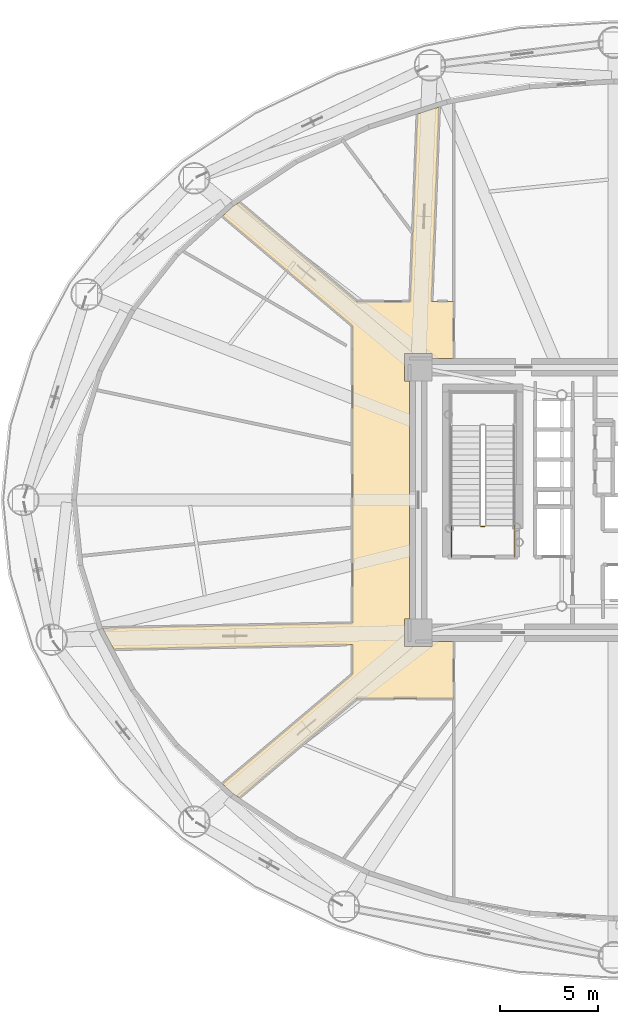
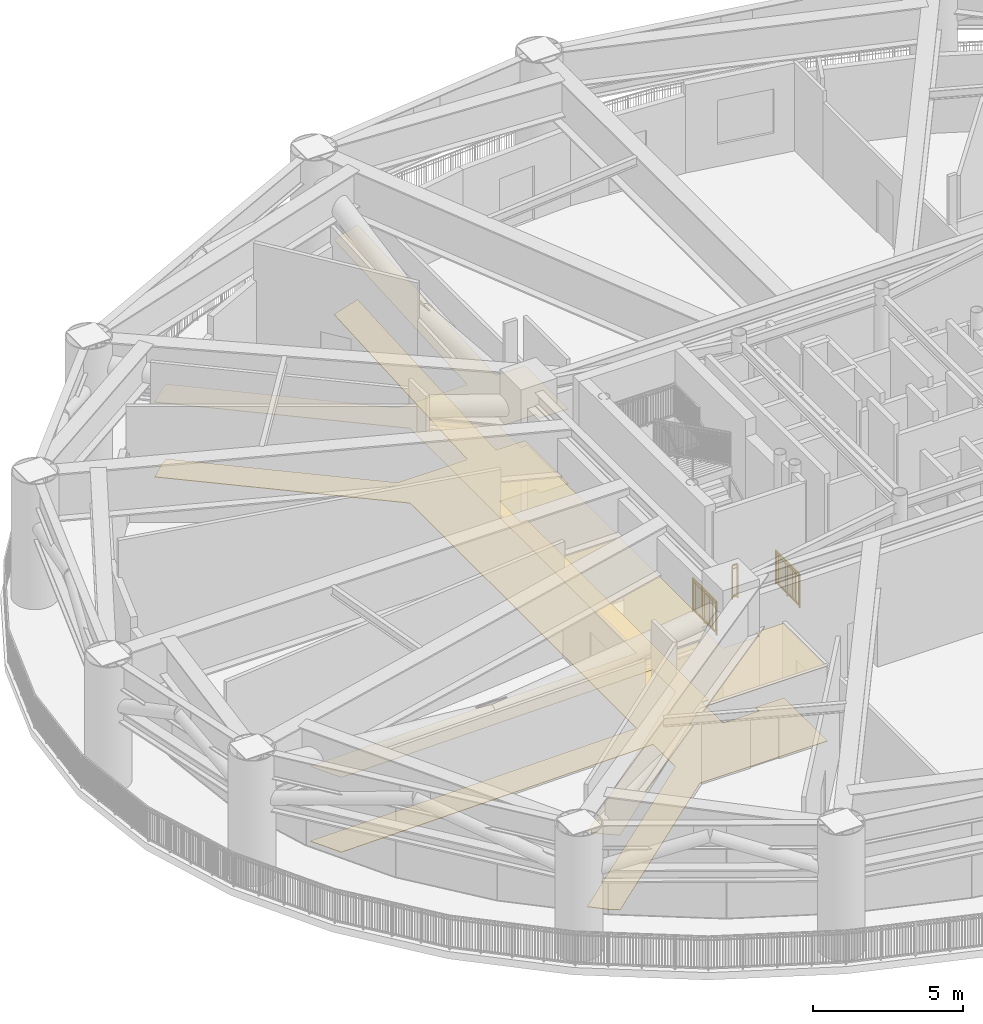
# One storey, part 16 of 22: 3 railings, 2 coverings.
"""IFC4 building model written with IfcOpenShell, lengths in metres."""

import ifcopenshell
import ifcopenshell.guid

model = None  # the IFC model being written
_history = None  # IfcOwnerHistory: only IFC2X3 demands one
_inside = {}  # id of a spatial element -> (the spatial element, [elements in it])
_under = {}  # id of a project, library or spatial element -> (it, [spatial elements below it])
_declared = {}  # id of a project -> (the project, [libraries it declares])
_typed = {}  # id of a type object -> (the type object, [elements of that type])
_made_of = {}  # id of a material, layer set ... -> (it, [elements and type objects made of it])


def new_model(schema):
    """Start an empty IFC model of exactly this schema.

    Asked for "IFC4X3", IfcOpenShell would pick the latest addendum, in which some entities
    have other attributes; the version numbers below select the first issue.
    IFC2X3 requires an IfcOwnerHistory on every rooted entity: one is made here for all.
    """
    global model, _history
    if schema == "IFC4X3":
        model = ifcopenshell.file(schema_version=(4, 3, 0, 0))
    else:
        model = ifcopenshell.file(schema=schema)
    _inside.clear()
    _under.clear()
    _declared.clear()
    _typed.clear()
    _made_of.clear()
    _history = None
    if model.schema == "IFC2X3":
        org = make("IfcOrganization", Name="unknown")
        user = make(
            "IfcPersonAndOrganization",
            ThePerson=make("IfcPerson", FamilyName="unknown"),
            TheOrganization=org,
        )
        app = make(
            "IfcApplication",
            ApplicationDeveloper=org,
            Version="unknown",
            ApplicationFullName="unknown",
            ApplicationIdentifier="unknown",
        )
        _history = make(
            "IfcOwnerHistory",
            OwningUser=user,
            OwningApplication=app,
            ChangeAction="ADDED",
            CreationDate=0,
        )
    return model


def make(cls, **values):
    """One entity of the class cls with the attributes given. An attribute that is None is left unset."""
    return model.create_entity(
        cls, **{name: value for name, value in values.items() if value is not None}
    )


def rooted(cls, **values):
    """An entity with a GlobalId (a new one), such as an element, a storey or a relation."""
    return make(cls, GlobalId=ifcopenshell.guid.new(), OwnerHistory=_history, **values)


def si_unit(unit_type, name, prefix=None):
    """IfcSIUnit, for example si_unit("LENGTHUNIT", "METRE", prefix="MILLI")."""
    return make("IfcSIUnit", UnitType=unit_type, Prefix=prefix, Name=name)


def assignment(units):
    """IfcUnitAssignment: the units of a project."""
    return None if units is None else make("IfcUnitAssignment", Units=units)


def point(xyz):
    """IfcCartesianPoint."""
    return None if xyz is None else make("IfcCartesianPoint", Coordinates=xyz)


def direction(xyz):
    """IfcDirection."""
    return None if xyz is None else make("IfcDirection", DirectionRatios=xyz)


def frame(location, z_axis=None, x_axis=None):
    """IfcAxis2Placement3D, a coordinate frame: its origin and axes. An axis left out is left unset."""
    return make(
        "IfcAxis2Placement3D",
        Location=point(location),
        Axis=direction(z_axis),
        RefDirection=direction(x_axis),
    )


def frame_2d(location, x_axis=None):
    """IfcAxis2Placement2D, a coordinate frame in the plane: its origin and x axis."""
    return make(
        "IfcAxis2Placement2D", Location=point(location), RefDirection=direction(x_axis)
    )


def origin():
    """The frame at (0, 0, 0) with its axes left unset."""
    return frame((0.0, 0.0, 0.0))


def origin_2d():
    """The frame at (0, 0) in the plane with its x axis left unset."""
    return frame_2d((0.0, 0.0))


def place(relative_to, where):
    """IfcLocalPlacement: puts the frame where relative to a parent placement (None: the world)."""
    return make(
        "IfcLocalPlacement", PlacementRelTo=relative_to, RelativePlacement=where
    )


def context(
    kind, dimensions, precision=None, world=None, true_north=None, identifier=None
):
    """IfcGeometricRepresentationContext, for example the 3D "Model" context."""
    return make(
        "IfcGeometricRepresentationContext",
        ContextIdentifier=identifier,
        ContextType=kind,
        CoordinateSpaceDimension=dimensions,
        Precision=precision,
        WorldCoordinateSystem=world,
        TrueNorth=true_north,
    )


def subcontext(parent, identifier, kind, view, scale=None):
    """IfcGeometricRepresentationSubContext, for example "Body" below "Model"."""
    return make(
        "IfcGeometricRepresentationSubContext",
        ContextIdentifier=identifier,
        ContextType=kind,
        ParentContext=parent,
        TargetScale=scale,
        TargetView=view,
    )


def project(units=None, contexts=None):
    """IfcProject with its units and contexts."""
    return rooted(
        "IfcProject",
        Name="project",
        RepresentationContexts=contexts,
        UnitsInContext=assignment(units),
    )


def spatial(cls, under=None, at=None, **own):
    """A site, building, storey or space (cls), placed at a placement, below another one or the project."""
    s = rooted(cls, ObjectPlacement=at, **own)
    if under is not None:
        _under.setdefault(under.id(), (under, []))[1].append(s)
    return s


def polyline(points):
    """IfcPolyline through the points."""
    return make("IfcPolyline", Points=[point(p) for p in points])


def profile(cls, at=None, kind="AREA", **sizes):
    """A parametric profile (cls). Its sizes go by their IFC names, for example OverallWidth=200.0."""
    return make(cls, ProfileType=kind, Position=at, **sizes)


def rectangle(**sizes):
    """IfcRectangleProfileDef."""
    return profile("IfcRectangleProfileDef", **sizes)


def outline(outer, holes=None, kind="AREA"):
    """IfcArbitraryClosedProfileDef: a profile drawn as a closed curve; with holes, ...WithVoids."""
    if holes is None:
        return make("IfcArbitraryClosedProfileDef", ProfileType=kind, OuterCurve=outer)
    return make(
        "IfcArbitraryProfileDefWithVoids",
        ProfileType=kind,
        OuterCurve=outer,
        InnerCurves=holes,
    )


def extrude(swept, where, along, depth):
    """IfcExtrudedAreaSolid: the profile swept, set in the frame where, extruded along a direction by depth."""
    return make(
        "IfcExtrudedAreaSolid",
        SweptArea=swept,
        Position=where,
        ExtrudedDirection=direction(along),
        Depth=depth,
    )


def shape(context_of_items, identifier, shape_type, items):
    """IfcShapeRepresentation: the items that make up one representation, for example the "Body"."""
    return make(
        "IfcShapeRepresentation",
        ContextOfItems=context_of_items,
        RepresentationIdentifier=identifier,
        RepresentationType=shape_type,
        Items=items,
    )


def source(mapping_origin, context_of_items, identifier, shape_type, items):
    """IfcRepresentationMap: a shape defined once, which mapped items show again and again."""
    return make(
        "IfcRepresentationMap",
        MappingOrigin=mapping_origin,
        MappedRepresentation=shape(context_of_items, identifier, shape_type, items),
    )


def transform(
    local_origin,
    x_axis=None,
    y_axis=None,
    z_axis=None,
    scale=None,
    scale2=None,
    scale3=None,
    uniform=True,
):
    """IfcCartesianTransformationOperator3D, or its non-uniform kind. x_axis, y_axis, z_axis: its Axis1, 2, 3."""
    if uniform:
        return make(
            "IfcCartesianTransformationOperator3D",
            Axis1=direction(x_axis),
            Axis2=direction(y_axis),
            LocalOrigin=point(local_origin),
            Scale=scale,
            Axis3=direction(z_axis),
        )
    return make(
        "IfcCartesianTransformationOperator3DnonUniform",
        Axis1=direction(x_axis),
        Axis2=direction(y_axis),
        LocalOrigin=point(local_origin),
        Scale=scale,
        Axis3=direction(z_axis),
        Scale2=scale2,
        Scale3=scale3,
    )


def mapped(mapping_source, mapping_target):
    """IfcMappedItem: shows the shape of a source again, moved by a transform."""
    return make(
        "IfcMappedItem", MappingSource=mapping_source, MappingTarget=mapping_target
    )


def material(Name=None, Category=None):
    """IfcMaterial."""
    return make("IfcMaterial", Name=Name, Category=Category)


def layer(
    of_material, thickness, ventilated=None, Name=None, Category=None, Priority=None
):
    """IfcMaterialLayer: one layer of a wall or slab, of a material (None: an air gap)."""
    return make(
        "IfcMaterialLayer",
        Material=of_material,
        LayerThickness=thickness,
        IsVentilated=ventilated,
        Name=Name,
        Category=Category,
        Priority=Priority,
    )


def layer_set(layers, Name=None):
    """IfcMaterialLayerSet."""
    return make("IfcMaterialLayerSet", MaterialLayers=layers, LayerSetName=Name)


def made_of(thing, what):
    """Note that an element or type object is made of a material, layer set ...; save() writes the relation."""
    if what is not None:
        _made_of.setdefault(what.id(), (what, []))[1].append(thing)
    return thing


def type_object(cls, material=None, **own):
    """A type object (cls), such as IfcWallType, which elements share."""
    return made_of(rooted(cls, **own), material)


def element(
    cls,
    number,
    at=None,
    inside=None,
    cuts=None,
    type_object=None,
    material=None,
    context=None,
    identifier="Body",
    shape_type=None,
    held_by="IfcProductDefinitionShape",
    body=None,
    shapes=None,
    **own,
):
    """One element of the class cls, such as IfcWall. Its Tag is "e" and its number.

    at: its placement. inside: the storey or other place that contains it. cuts: it is an
    opening in that element (IfcRelVoidsElement). A single representation is given by context,
    identifier, shape_type and body (its items); several are given by shapes. held_by: the class
    of the entity that holds the representations. save() writes the other relations.
    """
    e = rooted(cls, Tag="e%d" % number, ObjectPlacement=at, **own)
    if body is not None:
        shapes = [shape(context, identifier, shape_type, body)]
    if shapes is not None:
        e.Representation = make(held_by, Representations=shapes)
    if inside is not None:
        _inside.setdefault(inside.id(), (inside, []))[1].append(e)
    if cuts is not None:
        rooted(
            "IfcRelVoidsElement", RelatingBuildingElement=cuts, RelatedOpeningElement=e
        )
    if type_object is not None:
        _typed.setdefault(type_object.id(), (type_object, []))[1].append(e)
    return made_of(e, material)


def aggregate(whole, parts):
    """IfcRelAggregates: a whole, such as a stair, and the parts it consists of."""
    return rooted("IfcRelAggregates", RelatingObject=whole, RelatedObjects=parts)


def save(model, path):
    """Write the relations noted so far, then the file.

    IfcRelAggregates (storeys below a building ...), IfcRelContainedInSpatialStructure (elements
    in a storey), IfcRelDefinesByType, IfcRelAssociatesMaterial and IfcRelDeclares: one each for
    every whole, place, type object, material and project.
    """
    for whole, parts in _under.values():
        aggregate(whole, parts)
    for where, things in _inside.values():
        rooted(
            "IfcRelContainedInSpatialStructure",
            RelatedElements=things,
            RelatingStructure=where,
        )
    for kind, things in _typed.values():
        rooted("IfcRelDefinesByType", RelatedObjects=things, RelatingType=kind)
    for what, things in _made_of.values():
        rooted("IfcRelAssociatesMaterial", RelatedObjects=things, RelatingMaterial=what)
    for by, libraries in _declared.values():
        rooted("IfcRelDeclares", RelatingContext=by, RelatedDefinitions=libraries)
    model.write(path)


model = new_model("IFC4")

# Units and contexts
model_context = context("Model", 3, precision=1e-05, world=origin(), true_north=direction((0.0, 1.0)))
body_context = subcontext(model_context, "Body", "Model", "MODEL_VIEW")
ifc_project = project(units=[si_unit("LENGTHUNIT", "METRE"), si_unit("AREAUNIT", "SQUARE_METRE"), si_unit("VOLUMEUNIT", "CUBIC_METRE"), si_unit("PLANEANGLEUNIT", "RADIAN"), si_unit("MASSUNIT", "GRAM", prefix="KILO")], contexts=[model_context])

# Site, building, storey
site_placement = place(None, origin())
site = spatial("IfcSite", under=ifc_project, at=site_placement, CompositionType="ELEMENT")
building_placement = place(site_placement, origin())
building = spatial("IfcBuilding", under=site, at=building_placement, Name="Linh Dai School and Residence Tower", CompositionType="ELEMENT")
storey_placement = place(building_placement, frame((0.0, 0.0, 87.0)))
storey = spatial("IfcBuildingStorey", under=building, at=storey_placement, Name="L20", CompositionType="ELEMENT", Elevation=87.0)

# Coverings
ifc_material_1 = material(Name="Mineral Fibre Acoustic Suspended Ceiling", Category="masonry")
ifc_layer_1 = layer(ifc_material_1, 0.02001953125)
ifc_layer_set_1 = layer_set([ifc_layer_1], Name="Mineral Fibre Acoustic Suspended Ceiling")
covering_type_1 = type_object("IfcCoveringType", Name="COV-CEIL-AC-20", PredefinedType="CEILING", material=ifc_layer_set_1)
covering_1_placement = place(storey_placement, frame((0.0, 0.0, 3.050048828125)))
element("IfcCovering", 1, at=covering_1_placement, inside=storey, type_object=covering_type_1, Name="L20 Plant and Refuge Access Corridor West Suspended Ceiling", PredefinedType="CEILING", context=body_context, shape_type="SweptSolid", body=[
    extrude(outline(polyline([(22.699951171875, 20.735595703125), (22.699951171875, 35.8564453125), (16.0751953125, 41.445068359375), (16.63720703125, 41.955810546875), (16.938720703125, 42.15576171875), (22.931884765625, 37.10009765625), (25.628662109375, 37.10009765625), (25.996337890625, 46.644775390625), (27.111083984375, 47.00341796875), (26.7294921875, 37.10009765625), (27.85009765625, 37.10009765625), (27.85009765625, 34.199951171875), (26.75, 34.199951171875), (26.75, 34.449951171875), (25.35009765625, 34.449951171875), (25.35009765625, 33.050048828125), (25.60009765625, 33.050048828125), (25.60009765625, 20.949951171875), (25.35009765625, 20.949951171875), (25.35009765625, 19.550048828125), (26.75, 19.550048828125), (26.75, 19.800048828125), (27.85009765625, 19.800048828125), (27.85009765625, 16.89990234375), (22.931884765625, 16.89990234375), (16.938720703125, 11.84423828125), (16.63720703125, 12.044189453125), (16.0751953125, 12.554931640625), (22.699951171875, 18.1435546875), (22.699951171875, 19.635498046875), (10.553466796875, 19.402099609375), (9.972412109375, 20.4912109375), (22.699951171875, 20.735595703125)])), origin(), (0.0, 0.0, 1.0), 0.02001953125),
])
ifc_material_2 = material(Name="Polished Terrazzo Floor Finish", Category="masonry")
ifc_layer_2 = layer(ifc_material_2, 0.02490234375)
ifc_layer_set_2 = layer_set([ifc_layer_2], Name="Polished Terrazzo Floor Finish")
covering_type_2 = type_object("IfcCoveringType", Name="COV-FLR-TRZ-25", PredefinedType="FLOORING", material=ifc_layer_set_2)
covering_2_placement = place(storey_placement, origin())
element("IfcCovering", 2, at=covering_2_placement, inside=storey, type_object=covering_type_2, Name="L20 Plant and Refuge Access Corridor West Floor Finish", PredefinedType="FLOORING", context=body_context, shape_type="SweptSolid", body=[
    extrude(outline(polyline([(22.699951171875, 20.735595703125), (22.699951171875, 35.8564453125), (16.0751953125, 41.445068359375), (16.63720703125, 41.955810546875), (16.938720703125, 42.15576171875), (22.931884765625, 37.10009765625), (25.628662109375, 37.10009765625), (25.996337890625, 46.644775390625), (27.111083984375, 47.00341796875), (26.7294921875, 37.10009765625), (27.85009765625, 37.10009765625), (27.85009765625, 34.199951171875), (26.75, 34.199951171875), (26.75, 34.449951171875), (25.35009765625, 34.449951171875), (25.35009765625, 33.050048828125), (25.60009765625, 33.050048828125), (25.60009765625, 20.949951171875), (25.35009765625, 20.949951171875), (25.35009765625, 19.550048828125), (26.75, 19.550048828125), (26.75, 19.800048828125), (27.85009765625, 19.800048828125), (27.85009765625, 16.89990234375), (22.931884765625, 16.89990234375), (16.938720703125, 11.84423828125), (16.63720703125, 12.044189453125), (16.0751953125, 12.554931640625), (22.699951171875, 18.1435546875), (22.699951171875, 19.635498046875), (10.553466796875, 19.402099609375), (9.972412109375, 20.4912109375), (22.699951171875, 20.735595703125)])), origin(), (0.0, 0.0, 1.0), 0.02001953125),
])

# Railings
ifc_material_3 = material(Name="Structural Steel S355JR", Category="steel")
railing_type = type_object("IfcRailingType", Name="RL-ST-GUARD-1400", PredefinedType="GUARDRAIL", material=ifc_material_3)
shared_shape_1 = source(origin(), body_context, "Body", "SweptSolid", [
    extrude(rectangle(XDim=0.048095703125, YDim=0.048095703125, at=origin_2d()), frame((0.0, 0.0, 1.3759765625), z_axis=(-1.0, 0.0, 0.0), x_axis=(0.0, -1.0, 0.0)), (0.0, 0.0, 1.0), 0.199951171875),
    extrude(rectangle(XDim=0.048095703125, YDim=0.048095703125, at=origin_2d()), frame((0.0, 0.0, 0.10009765625), z_axis=(-1.0, 0.0, 0.0), x_axis=(0.0, -1.0, 0.0)), (0.0, 0.0, 1.0), 0.199951171875),
    extrude(rectangle(XDim=0.030029296875, YDim=0.030029296875, at=origin_2d()), frame((0.0, 0.0, 1.239990234375), z_axis=(-1.0, 0.0, 0.0), x_axis=(0.0, -1.0, 0.0)), (0.0, 0.0, 1.0), 0.199951171875),
    extrude(rectangle(XDim=0.0419921875, YDim=0.0419921875, at=origin_2d()), origin(), (0.0, 0.0, 1.0), 1.3759765625),
    extrude(rectangle(XDim=0.0419921875, YDim=0.0419921875, at=origin_2d()), frame((-0.199951171875, 0.0, 0.0)), (0.0, 0.0, 1.0), 1.3759765625),
])
railing_placement = place(storey_placement, frame((29.429931640625, 25.64990234375, 0.0)))
element("IfcRailing", 3, at=railing_placement, inside=storey, type_object=railing_type, Name="L20 ST1 stair guard 7", PredefinedType="GUARDRAIL", context=body_context, shape_type="MappedRepresentation", body=[
    mapped(shared_shape_1, transform((0.0, 0.0, 0.0), x_axis=(1.0, 0.0, 0.0), y_axis=(0.0, 1.0, 0.0), z_axis=(0.0, 0.0, 1.0), scale=1.0)),
])
shared_shape_2 = source(origin(), body_context, "Body", "SweptSolid", [
    extrude(rectangle(XDim=0.048095703125, YDim=0.048095703125, at=origin_2d()), frame((0.0, 0.0, 1.3759765625), z_axis=(0.0, 1.0, 0.0), x_axis=(-1.0, 0.0, 0.0)), (0.0, 0.0, 1.0), 1.599853515625),
    extrude(rectangle(XDim=0.048095703125, YDim=0.048095703125, at=origin_2d()), frame((0.0, 0.0, 0.10009765625), z_axis=(0.0, 1.0, 0.0), x_axis=(-1.0, 0.0, 0.0)), (0.0, 0.0, 1.0), 1.599853515625),
    extrude(rectangle(XDim=0.030029296875, YDim=0.030029296875, at=origin_2d()), frame((0.0, 0.0, 1.239990234375), z_axis=(0.0, 1.0, 0.0), x_axis=(-1.0, 0.0, 0.0)), (0.0, 0.0, 1.0), 1.599853515625),
    extrude(rectangle(XDim=0.02001953125, YDim=0.02001953125, at=origin_2d()), frame((0.0, 0.093994140625, 0.10009765625)), (0.0, 0.0, 1.0), 1.251708984375),
    extrude(rectangle(XDim=0.02001953125, YDim=0.02001953125, at=origin_2d()), frame((0.0, 0.188232421875, 0.10009765625)), (0.0, 0.0, 1.0), 1.251708984375),
    extrude(rectangle(XDim=0.02001953125, YDim=0.02001953125, at=origin_2d()), frame((0.0, 0.2822265625, 0.10009765625)), (0.0, 0.0, 1.0), 1.251708984375),
    extrude(rectangle(XDim=0.02001953125, YDim=0.02001953125, at=origin_2d()), frame((0.0, 0.37646484375, 0.10009765625)), (0.0, 0.0, 1.0), 1.251708984375),
    extrude(rectangle(XDim=0.02001953125, YDim=0.02001953125, at=origin_2d()), frame((0.0, 0.470458984375, 0.10009765625)), (0.0, 0.0, 1.0), 1.251708984375),
    extrude(rectangle(XDim=0.02001953125, YDim=0.02001953125, at=origin_2d()), frame((0.0, 0.564697265625, 0.10009765625)), (0.0, 0.0, 1.0), 1.251708984375),
    extrude(rectangle(XDim=0.02001953125, YDim=0.02001953125, at=origin_2d()), frame((0.0, 0.65869140625, 0.10009765625)), (0.0, 0.0, 1.0), 1.251708984375),
    extrude(rectangle(XDim=0.02001953125, YDim=0.02001953125, at=origin_2d()), frame((0.0, 0.7529296875, 0.10009765625)), (0.0, 0.0, 1.0), 1.251708984375),
    extrude(rectangle(XDim=0.02001953125, YDim=0.02001953125, at=origin_2d()), frame((0.0, 0.846923828125, 0.10009765625)), (0.0, 0.0, 1.0), 1.251708984375),
    extrude(rectangle(XDim=0.02001953125, YDim=0.02001953125, at=origin_2d()), frame((0.0, 0.941162109375, 0.10009765625)), (0.0, 0.0, 1.0), 1.251708984375),
    extrude(rectangle(XDim=0.02001953125, YDim=0.02001953125, at=origin_2d()), frame((0.0, 1.03515625, 0.10009765625)), (0.0, 0.0, 1.0), 1.251708984375),
    extrude(rectangle(XDim=0.02001953125, YDim=0.02001953125, at=origin_2d()), frame((0.0, 1.12939453125, 0.10009765625)), (0.0, 0.0, 1.0), 1.251708984375),
    extrude(rectangle(XDim=0.02001953125, YDim=0.02001953125, at=origin_2d()), frame((0.0, 1.223388671875, 0.10009765625)), (0.0, 0.0, 1.0), 1.251708984375),
    extrude(rectangle(XDim=0.02001953125, YDim=0.02001953125, at=origin_2d()), frame((0.0, 1.317626953125, 0.10009765625)), (0.0, 0.0, 1.0), 1.251708984375),
    extrude(rectangle(XDim=0.02001953125, YDim=0.02001953125, at=origin_2d()), frame((0.0, 1.41162109375, 0.10009765625)), (0.0, 0.0, 1.0), 1.251708984375),
    extrude(rectangle(XDim=0.02001953125, YDim=0.02001953125, at=origin_2d()), frame((0.0, 1.505859375, 0.10009765625)), (0.0, 0.0, 1.0), 1.251708984375),
    extrude(rectangle(XDim=0.0419921875, YDim=0.0419921875, at=origin_2d()), origin(), (0.0, 0.0, 1.0), 1.3759765625),
    extrude(rectangle(XDim=0.0419921875, YDim=0.0419921875, at=origin_2d()), frame((0.0, 0.7998046875, 0.0)), (0.0, 0.0, 1.0), 1.3759765625),
    extrude(rectangle(XDim=0.0419921875, YDim=0.0419921875, at=origin_2d()), frame((0.0, 1.599853515625, 0.0)), (0.0, 0.0, 1.0), 1.3759765625),
])
for number, where, name in (
    (4, (30.929931640625, 24.10009765625, 0.0), "L20 ST1 stair guard 8"),
    (5, (27.72998046875, 24.10009765625, 0.0), "L20 ST1 stair guard 9"),
):
    element("IfcRailing", number, at=place(storey_placement, frame(where)), inside=storey, type_object=railing_type, Name=name, PredefinedType="GUARDRAIL", context=body_context, shape_type="MappedRepresentation", body=[
        mapped(shared_shape_2, transform((0.0, 0.0, 0.0), x_axis=(1.0, 0.0, 0.0), y_axis=(0.0, 1.0, 0.0), z_axis=(0.0, 0.0, 1.0), scale=1.0)),
    ])

save(model, "model.ifc")
